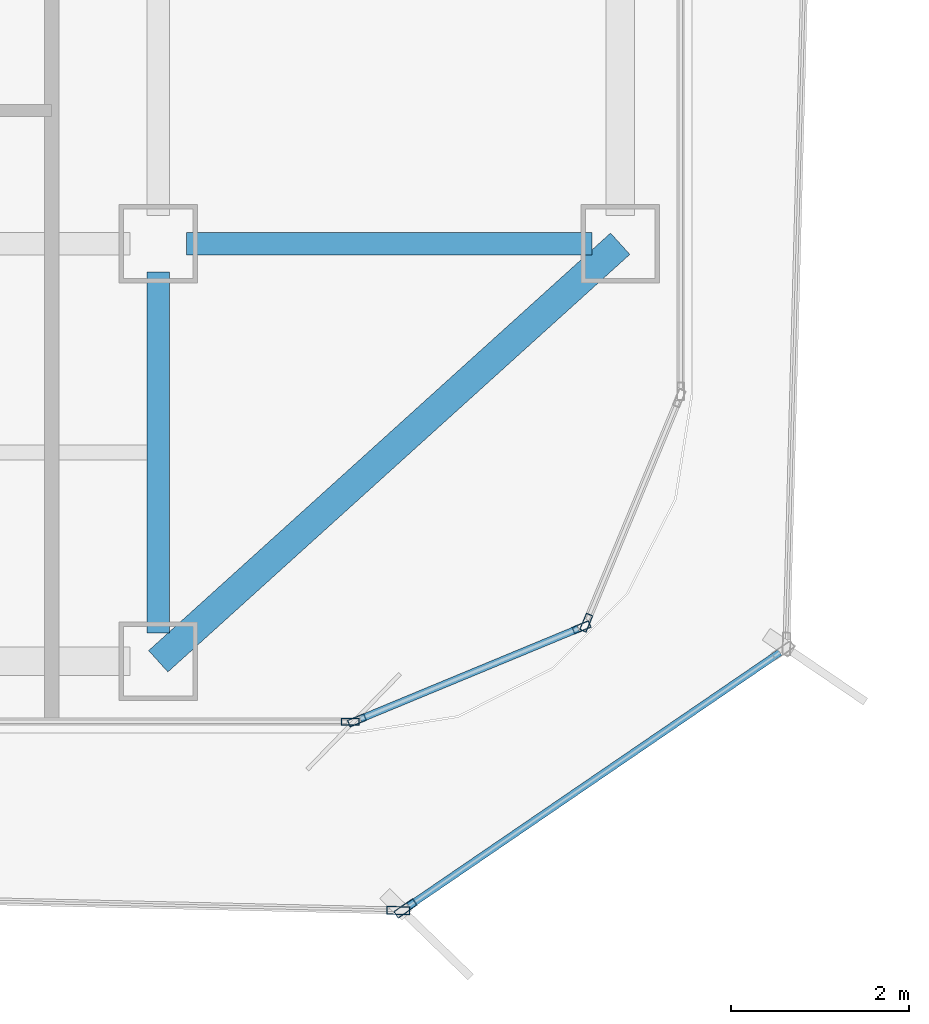
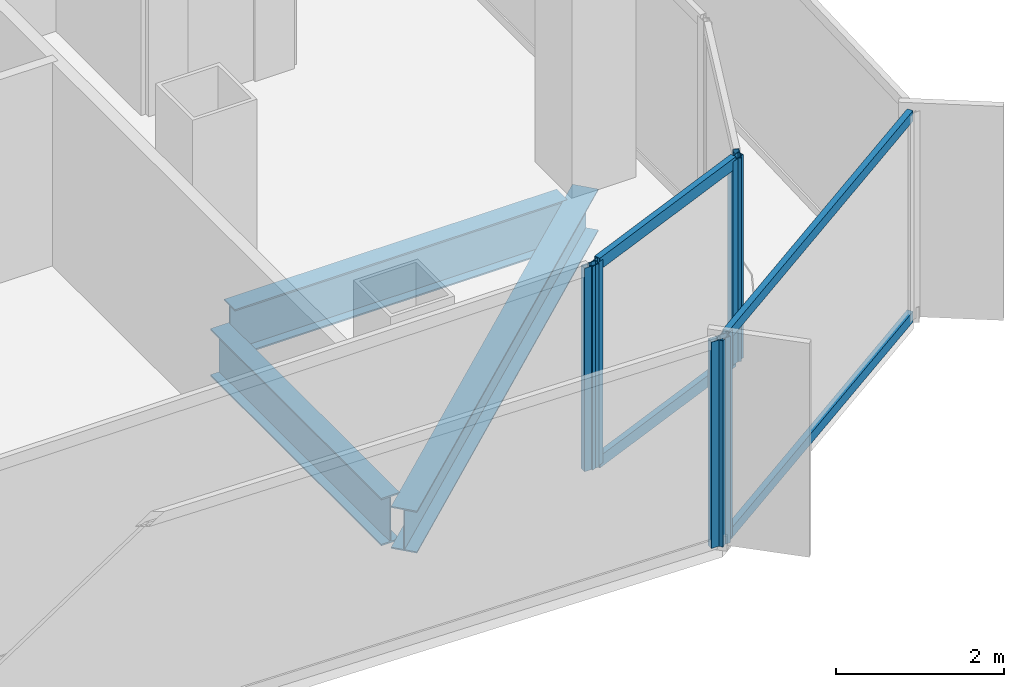
# One storey, part 6 of 21: 10 members, 3 beams, 5 elements without a shape of their own.
"""IFC4 building model written with IfcOpenShell, lengths in metres."""

from ifc_helpers import new_model, si_unit, direction, frame, origin, origin_2d, place, context, subcontext, project, spatial, hollow_rectangle, i_section, extrude, source, transform, mapped, material, layer, layer_set, material_profile, profile_set, type_object, element, aggregate, save


model = new_model("IFC4")

# Units and contexts
model_context = context("Model", 3, precision=1e-05, world=origin(), true_north=direction((0.0, 1.0)))
body_context = subcontext(model_context, "Body", "Model", "MODEL_VIEW")
ifc_project = project(units=[si_unit("LENGTHUNIT", "METRE"), si_unit("AREAUNIT", "SQUARE_METRE"), si_unit("VOLUMEUNIT", "CUBIC_METRE"), si_unit("PLANEANGLEUNIT", "RADIAN"), si_unit("MASSUNIT", "GRAM", prefix="KILO")], contexts=[model_context])

# Site, building, storey
site_placement = place(None, origin())
site = spatial("IfcSite", under=ifc_project, at=site_placement, CompositionType="ELEMENT")
building_placement = place(site_placement, origin())
building = spatial("IfcBuilding", under=site, at=building_placement, Name="Kolveth Station Tower", CompositionType="ELEMENT")
storey_placement = place(building_placement, frame((0.0, 0.0, 118.300048828125)))
storey = spatial("IfcBuildingStorey", under=building, at=storey_placement, Name="L32", CompositionType="ELEMENT", Elevation=118.300048828125)

# Beams
ifc_material_1 = material(Name="Steel S355", Category="steel")
ifc_material_profile_1 = material_profile(ifc_material_1, i_section(OverallWidth=0.323974609375, OverallDepth=0.611083984375, WebThickness=0.0126953125, FlangeThickness=0.01904296875, at=origin_2d()), Name="W610x155")
ifc_profile_set_1 = profile_set([ifc_material_profile_1], Name="Steel S355")
beam_type_1 = type_object("IfcBeamType", Name="Beam_SP2", PredefinedType="SPANDREL", material=ifc_profile_set_1)
shared_shape_1 = source(origin(), body_context, "Body", "SweptSolid", [
    extrude(i_section(OverallWidth=0.323974609375, OverallDepth=0.611083984375, WebThickness=0.0126953125, FlangeThickness=0.01904296875, at=origin_2d()), origin(), (0.0, 0.0, 1.0), 7.00927734375),
])
beam_1_placement = place(storey_placement, frame((41.0, 0.800048828125, -0.5556640625), z_axis=(0.741874009795, 0.670539300557, 0.0), x_axis=(-0.670539300557, 0.741874009795, 0.0)))
element("IfcBeam", 1, at=beam_1_placement, inside=storey, type_object=beam_type_1, Name="L32 Corner Edge Girder BM-L32-CNR-SE", PredefinedType="SPANDREL", context=body_context, shape_type="MappedRepresentation", body=[
    mapped(shared_shape_1, transform((0.0, 0.0, 0.0), x_axis=(1.0, 0.0, 0.0), y_axis=(0.0, 1.0, 0.0), z_axis=(0.0, 0.0, 1.0), scale=1.0)),
])
ifc_material_profile_2 = material_profile(ifc_material_1, i_section(OverallWidth=0.25390625, OverallDepth=0.68798828125, WebThickness=0.01318359375, FlangeThickness=0.02099609375, at=origin_2d()), Name="W690x152")
ifc_profile_set_2 = profile_set([ifc_material_profile_2], Name="Steel S355")
beam_type_2 = type_object("IfcBeamType", Name="Beam_B4", PredefinedType="BEAM", material=ifc_profile_set_2)
shared_shape_2 = source(origin(), body_context, "Body", "SweptSolid", [
    extrude(i_section(OverallWidth=0.25390625, OverallDepth=0.68798828125, WebThickness=0.01318359375, FlangeThickness=0.02099609375, at=origin_2d()), origin(), (0.0, 0.0, 1.0), 4.559814453125),
])
beam_2_placement = place(storey_placement, frame((41.320068359375, 5.5, -0.593994140625), z_axis=(1.0, 0.0, 0.0), x_axis=(0.0, 1.0, 0.0)))
element("IfcBeam", 2, at=beam_2_placement, inside=storey, type_object=beam_type_2, Name="L32 Primary Girder BM-L32-GY55-7", PredefinedType="BEAM", context=body_context, shape_type="MappedRepresentation", body=[
    mapped(shared_shape_2, transform((0.0, 0.0, 0.0), x_axis=(1.0, 0.0, 0.0), y_axis=(0.0, 1.0, 0.0), z_axis=(0.0, 0.0, 1.0), scale=1.0)),
])
shared_shape_3 = source(origin(), body_context, "Body", "SweptSolid", [
    extrude(i_section(OverallWidth=0.25390625, OverallDepth=0.68798828125, WebThickness=0.01318359375, FlangeThickness=0.02099609375, at=origin_2d()), origin(), (0.0, 0.0, 1.0), 4.059814453125),
])
beam_3_placement = place(storey_placement, frame((41.0, 1.1201171875, -0.593994140625), z_axis=(0.0, 1.0, 0.0), x_axis=(-1.0, 0.0, 0.0)))
element("IfcBeam", 3, at=beam_3_placement, inside=storey, type_object=beam_type_2, Name="L32 Primary Girder BM-L32-GX410-1", PredefinedType="BEAM", context=body_context, shape_type="MappedRepresentation", body=[
    mapped(shared_shape_3, transform((0.0, 0.0, 0.0), x_axis=(1.0, 0.0, 0.0), y_axis=(0.0, 1.0, 0.0), z_axis=(0.0, 0.0, 1.0), scale=1.0)),
])

# Curtain wall, members
ifc_material_2 = material(Name="Aluminium 6063-T6 and low-E dark glass", Category="aluminium")
ifc_layer_1 = layer(ifc_material_2, 0.18994140625)
ifc_layer_set_1 = layer_set([ifc_layer_1], Name="Aluminium 6063-T6 and low-E dark glass")
curtain_wall_type_1 = type_object("IfcCurtainWallType", Name="CurtainWall_CW-Z2", PredefinedType="NOTDEFINED", material=ifc_layer_set_1)
curtain_wall_1_placement = place(storey_placement, origin())
curtain_wall_1 = element("IfcCurtainWall", 4, at=curtain_wall_1_placement, inside=storey, type_object=curtain_wall_type_1, Name="L32 Inner Thermal Curtain Wall 1", PredefinedType="NOTDEFINED")
ifc_material_3 = material(Name="Black anodized aluminium 6063-T6", Category="aluminium")
ifc_material_profile_3 = material_profile(ifc_material_3, hollow_rectangle(XDim=0.080078125, YDim=0.199951171875, WallThickness=0.0048828125, at=origin_2d()), Name="ALU-80x200x5")
ifc_profile_set_3 = profile_set([ifc_material_profile_3], Name="Black anodized aluminium 6063-T6")
member_type_1 = type_object("IfcMemberType", Name="Mullion_ML2", PredefinedType="MULLION", material=ifc_profile_set_3)
shared_shape_4 = source(origin(), body_context, "Body", "SweptSolid", [
    extrude(hollow_rectangle(XDim=0.080078125, YDim=0.199951171875, WallThickness=0.0048828125, at=origin_2d()), origin(), (0.0, 0.0, 1.0), 2.949951171875),
])
member_1_placement = place(storey_placement, frame((43.237060546875, 0.13525390625, 0.0), z_axis=(0.0, 0.0, 1.0), x_axis=(-0.38266326998, 0.923887883787, 0.0)))
member_1 = element("IfcMember", 5, at=member_1_placement, type_object=member_type_1, Name="CW-Z2 mullion 1", PredefinedType="MULLION", context=body_context, shape_type="MappedRepresentation", body=[
    mapped(shared_shape_4, transform((0.0, 0.0, 0.0), x_axis=(1.0, 0.0, 0.0), y_axis=(0.0, 1.0, 0.0), z_axis=(0.0, 0.0, 1.0), scale=1.0)),
])
member_2_placement = place(storey_placement, frame((45.76513671875, 1.182373046875, 0.0), z_axis=(0.0, 0.0, 1.0), x_axis=(-0.38266326998, 0.923887883787, 0.0)))
member_2 = element("IfcMember", 6, at=member_2_placement, type_object=member_type_1, Name="CW-Z2 mullion 2", PredefinedType="MULLION", context=body_context, shape_type="MappedRepresentation", body=[
    mapped(shared_shape_4, transform((0.0, 0.0, 0.0), x_axis=(1.0, 0.0, 0.0), y_axis=(0.0, 1.0, 0.0), z_axis=(0.0, 0.0, 1.0), scale=1.0)),
])

# Curtain wall, member
curtain_wall_2_placement = place(storey_placement, origin())
curtain_wall_2 = element("IfcCurtainWall", 7, at=curtain_wall_2_placement, inside=storey, type_object=curtain_wall_type_1, Name="L32 Inner Thermal Curtain Wall 2", PredefinedType="NOTDEFINED")
member_3_placement = place(storey_placement, frame((45.817626953125, 1.23486328125, 0.0), z_axis=(0.0, 0.0, 1.0), x_axis=(-0.923887883787, 0.38266326998, 0.0)))
member_3 = element("IfcMember", 8, at=member_3_placement, type_object=member_type_1, Name="CW-Z2 mullion 1", PredefinedType="MULLION", context=body_context, shape_type="MappedRepresentation", body=[
    mapped(shared_shape_4, transform((0.0, 0.0, 0.0), x_axis=(1.0, 0.0, 0.0), y_axis=(0.0, 1.0, 0.0), z_axis=(0.0, 0.0, 1.0), scale=1.0)),
])
aggregate(curtain_wall_2, [member_3])

curtain_wall_3_placement = place(storey_placement, origin())
curtain_wall_3 = element("IfcCurtainWall", 9, at=curtain_wall_3_placement, inside=storey, type_object=curtain_wall_type_1, Name="L32 Inner Thermal Curtain Wall 12", PredefinedType="NOTDEFINED")
member_4_placement = place(storey_placement, frame((43.159912109375, 0.1201171875, 0.0), z_axis=(0.0, 0.0, 1.0), x_axis=(0.0, 1.0, 0.0)))
member_4 = element("IfcMember", 10, at=member_4_placement, type_object=member_type_1, Name="CW-Z2 mullion 3", PredefinedType="MULLION", context=body_context, shape_type="MappedRepresentation", body=[
    mapped(shared_shape_4, transform((0.0, 0.0, 0.0), x_axis=(1.0, 0.0, 0.0), y_axis=(0.0, 1.0, 0.0), z_axis=(0.0, 0.0, 1.0), scale=1.0)),
])
aggregate(curtain_wall_3, [member_4])

# Member
ifc_material_profile_4 = material_profile(ifc_material_3, hollow_rectangle(XDim=0.080078125, YDim=0.169921875, WallThickness=0.0048828125, at=origin_2d()), Name="ALU-80x170x5")
ifc_profile_set_4 = profile_set([ifc_material_profile_4], Name="Black anodized aluminium 6063-T6")
member_type_2 = type_object("IfcMemberType", Name="Transom_TR2", PredefinedType="USERDEFINED", material=ifc_profile_set_4)
shared_shape_5 = source(origin(), body_context, "Body", "SweptSolid", [
    extrude(hollow_rectangle(XDim=0.080078125, YDim=0.169921875, WallThickness=0.0048828125, at=origin_2d()), origin(), (0.0, 0.0, 1.0), 2.656494140625),
])
member_5_placement = place(storey_placement, frame((43.27392578125, 0.150634765625, 0.0400390625), z_axis=(0.923882422403, 0.382676455475, 0.0), x_axis=(-0.382676455475, 0.923882422403, 0.0)))
member_5 = element("IfcMember", 11, at=member_5_placement, type_object=member_type_2, Name="CW-Z2 transom 1.1", ObjectType="TRANSOM", PredefinedType="USERDEFINED", context=body_context, shape_type="MappedRepresentation", body=[
    mapped(shared_shape_5, transform((0.0, 0.0, 0.0), x_axis=(1.0, 0.0, 0.0), y_axis=(0.0, 1.0, 0.0), z_axis=(0.0, 0.0, 1.0), scale=1.0)),
])

member_6_placement = place(storey_placement, frame((43.27392578125, 0.150634765625, 2.909912109375), z_axis=(0.923882422403, 0.382676455475, 0.0), x_axis=(-0.382676455475, 0.923882422403, 0.0)))
member_6 = element("IfcMember", 12, at=member_6_placement, type_object=member_type_2, Name="CW-Z2 transom 1.2", ObjectType="TRANSOM", PredefinedType="USERDEFINED", context=body_context, shape_type="MappedRepresentation", body=[
    mapped(shared_shape_5, transform((0.0, 0.0, 0.0), x_axis=(1.0, 0.0, 0.0), y_axis=(0.0, 1.0, 0.0), z_axis=(0.0, 0.0, 1.0), scale=1.0)),
])

aggregate(curtain_wall_1, [member_1, member_2, member_5, member_6])

# Curtain wall, member
ifc_material_4 = material(Name="Black anodized aluminium 6063-T6 and dark solar glass", Category="aluminium")
ifc_layer_2 = layer(ifc_material_4, 0.159912109375)
ifc_layer_set_2 = layer_set([ifc_layer_2], Name="Black anodized aluminium 6063-T6 and dark solar glass")
curtain_wall_type_2 = type_object("IfcCurtainWallType", Name="OUTER SKIN CW-OS", PredefinedType="NOTDEFINED", material=ifc_layer_set_2)
curtain_wall_4_placement = place(storey_placement, origin())
curtain_wall_4 = element("IfcCurtainWall", 13, at=curtain_wall_4_placement, inside=storey, type_object=curtain_wall_type_2, Name="L32 Outer Ventilated Skin Curtain Wall 1", PredefinedType="NOTDEFINED")
ifc_material_profile_5 = material_profile(ifc_material_3, hollow_rectangle(XDim=0.090087890625, YDim=0.260009765625, WallThickness=0.0048828125, at=origin_2d()), Name="ALU-90x260x5")
ifc_profile_set_5 = profile_set([ifc_material_profile_5], Name="Black anodized aluminium 6063-T6")
member_type_3 = type_object("IfcMemberType", Name="FIN MULLION ML-OS", PredefinedType="MULLION", material=ifc_profile_set_5)
shared_shape_6 = source(origin(), body_context, "Body", "SweptSolid", [
    extrude(hollow_rectangle(XDim=0.090087890625, YDim=0.260009765625, WallThickness=0.0048828125, at=origin_2d()), origin(), (0.0, 0.0, 1.0), 2.989990234375),
])
member_7_placement = place(storey_placement, frame((43.782958984375, -1.9814453125, 0.0), z_axis=(0.0, 0.0, 1.0), x_axis=(-0.564304782601, 0.825566540221, 0.0)))
member_7 = element("IfcMember", 14, at=member_7_placement, type_object=member_type_3, Name="CW-OS mullion 1", PredefinedType="MULLION", context=body_context, shape_type="MappedRepresentation", body=[
    mapped(shared_shape_6, transform((0.0, 0.0, 0.0), x_axis=(1.0, 0.0, 0.0), y_axis=(0.0, 1.0, 0.0), z_axis=(0.0, 0.0, 1.0), scale=1.0)),
])

curtain_wall_5_placement = place(storey_placement, origin())
curtain_wall_5 = element("IfcCurtainWall", 15, at=curtain_wall_5_placement, inside=storey, type_object=curtain_wall_type_2, Name="L32 Outer Ventilated Skin Curtain Wall 8", PredefinedType="NOTDEFINED")
member_8_placement = place(storey_placement, frame((43.700927734375, -2.005859375, 0.0), z_axis=(0.0, 0.0, 1.0), x_axis=(0.022624840616, 0.999744025532, 0.0)))
member_8 = element("IfcMember", 16, at=member_8_placement, type_object=member_type_3, Name="CW-OS mullion 2", PredefinedType="MULLION", context=body_context, shape_type="MappedRepresentation", body=[
    mapped(shared_shape_6, transform((0.0, 0.0, 0.0), x_axis=(1.0, 0.0, 0.0), y_axis=(0.0, 1.0, 0.0), z_axis=(0.0, 0.0, 1.0), scale=1.0)),
])
aggregate(curtain_wall_5, [member_8])

# Member
ifc_material_profile_6 = material_profile(ifc_material_3, hollow_rectangle(XDim=0.080078125, YDim=0.14990234375, WallThickness=0.0048828125, at=origin_2d()), Name="ALU-80x150x5")
ifc_profile_set_6 = profile_set([ifc_material_profile_6], Name="Black anodized aluminium 6063-T6")
member_type_4 = type_object("IfcMemberType", Name="Transom_TR-OS", PredefinedType="USERDEFINED", material=ifc_profile_set_6)
shared_shape_7 = source(origin(), body_context, "Body", "SweptSolid", [
    extrude(hollow_rectangle(XDim=0.080078125, YDim=0.14990234375, WallThickness=0.0048828125, at=origin_2d()), origin(), (0.0, 0.0, 1.0), 5.059326171875),
])
member_9_placement = place(storey_placement, frame((43.820068359375, -1.9560546875, 0.0400390625), z_axis=(0.8255652086, 0.564306730732, 0.0), x_axis=(-0.564306730732, 0.8255652086, 0.0)))
member_9 = element("IfcMember", 17, at=member_9_placement, type_object=member_type_4, Name="CW-OS transom 1.1", ObjectType="TRANSOM", PredefinedType="USERDEFINED", context=body_context, shape_type="MappedRepresentation", body=[
    mapped(shared_shape_7, transform((0.0, 0.0, 0.0), x_axis=(1.0, 0.0, 0.0), y_axis=(0.0, 1.0, 0.0), z_axis=(0.0, 0.0, 1.0), scale=1.0)),
])

member_10_placement = place(storey_placement, frame((43.820068359375, -1.9560546875, 2.949951171875), z_axis=(0.8255652086, 0.564306730732, 0.0), x_axis=(-0.564306730732, 0.8255652086, 0.0)))
member_10 = element("IfcMember", 18, at=member_10_placement, type_object=member_type_4, Name="CW-OS transom 1.2", ObjectType="TRANSOM", PredefinedType="USERDEFINED", context=body_context, shape_type="MappedRepresentation", body=[
    mapped(shared_shape_7, transform((0.0, 0.0, 0.0), x_axis=(1.0, 0.0, 0.0), y_axis=(0.0, 1.0, 0.0), z_axis=(0.0, 0.0, 1.0), scale=1.0)),
])

aggregate(curtain_wall_4, [member_7, member_9, member_10])

save(model, "model.ifc")
